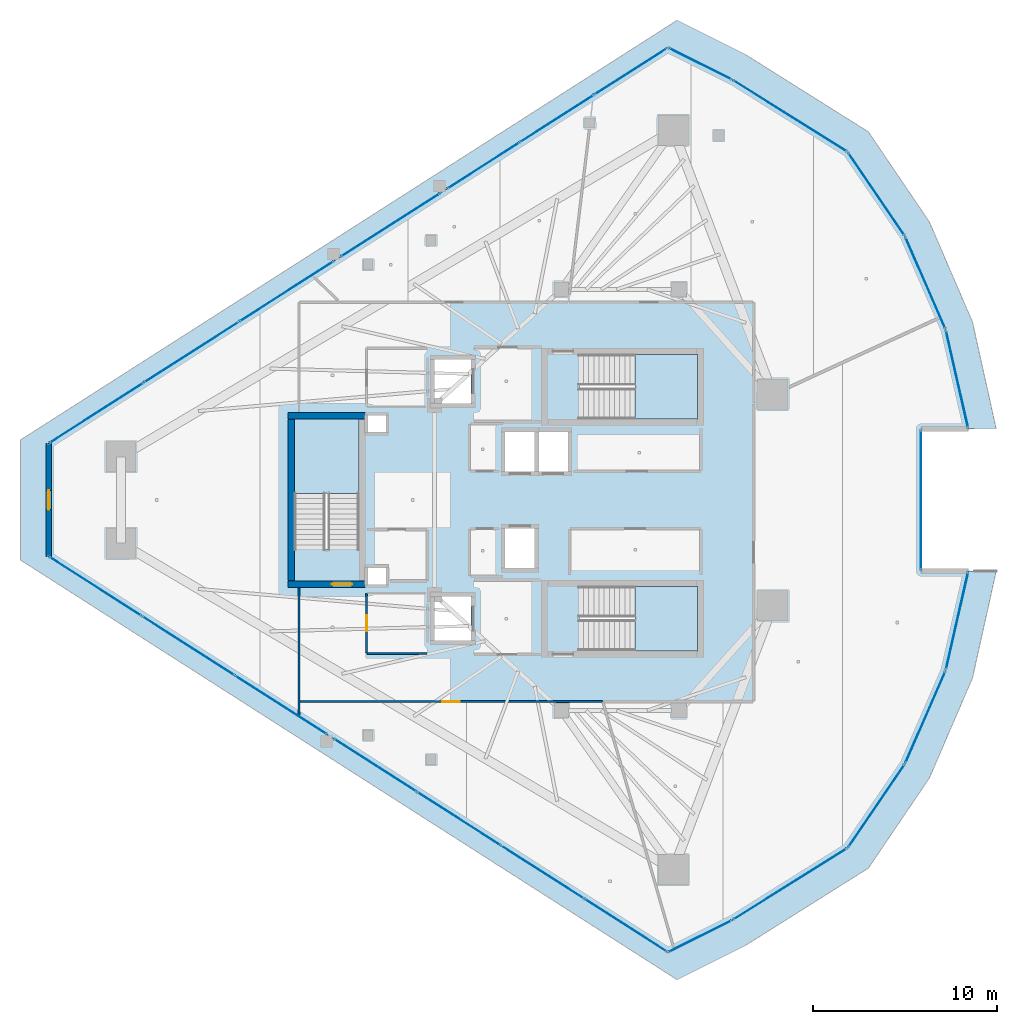
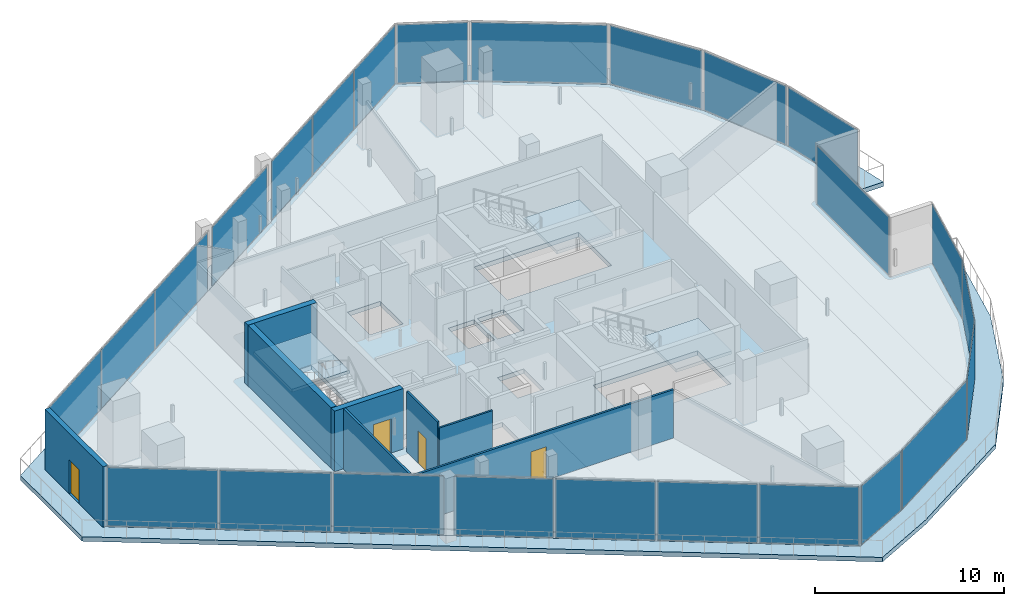
# One storey, part 21 of 31: 25 plates, 8 walls, 5 slabs, 4 doors, 4 openings, 19 elements without a shape of their own.
"""IFC4 building model written with IfcOpenShell, lengths in metres."""

import ifcopenshell
import ifcopenshell.guid

model = None  # the IFC model being written
_history = None  # IfcOwnerHistory: only IFC2X3 demands one
_inside = {}  # id of a spatial element -> (the spatial element, [elements in it])
_under = {}  # id of a project, library or spatial element -> (it, [spatial elements below it])
_declared = {}  # id of a project -> (the project, [libraries it declares])
_typed = {}  # id of a type object -> (the type object, [elements of that type])
_made_of = {}  # id of a material, layer set ... -> (it, [elements and type objects made of it])


def new_model(schema):
    """Start an empty IFC model of exactly this schema.

    Asked for "IFC4X3", IfcOpenShell would pick the latest addendum, in which some entities
    have other attributes; the version numbers below select the first issue.
    IFC2X3 requires an IfcOwnerHistory on every rooted entity: one is made here for all.
    """
    global model, _history
    if schema == "IFC4X3":
        model = ifcopenshell.file(schema_version=(4, 3, 0, 0))
    else:
        model = ifcopenshell.file(schema=schema)
    _inside.clear()
    _under.clear()
    _declared.clear()
    _typed.clear()
    _made_of.clear()
    _history = None
    if model.schema == "IFC2X3":
        org = make("IfcOrganization", Name="unknown")
        user = make(
            "IfcPersonAndOrganization",
            ThePerson=make("IfcPerson", FamilyName="unknown"),
            TheOrganization=org,
        )
        app = make(
            "IfcApplication",
            ApplicationDeveloper=org,
            Version="unknown",
            ApplicationFullName="unknown",
            ApplicationIdentifier="unknown",
        )
        _history = make(
            "IfcOwnerHistory",
            OwningUser=user,
            OwningApplication=app,
            ChangeAction="ADDED",
            CreationDate=0,
        )
    return model


def make(cls, **values):
    """One entity of the class cls with the attributes given. An attribute that is None is left unset."""
    return model.create_entity(
        cls, **{name: value for name, value in values.items() if value is not None}
    )


def rooted(cls, **values):
    """An entity with a GlobalId (a new one), such as an element, a storey or a relation."""
    return make(cls, GlobalId=ifcopenshell.guid.new(), OwnerHistory=_history, **values)


def si_unit(unit_type, name, prefix=None):
    """IfcSIUnit, for example si_unit("LENGTHUNIT", "METRE", prefix="MILLI")."""
    return make("IfcSIUnit", UnitType=unit_type, Prefix=prefix, Name=name)


def assignment(units):
    """IfcUnitAssignment: the units of a project."""
    return None if units is None else make("IfcUnitAssignment", Units=units)


def point(xyz):
    """IfcCartesianPoint."""
    return None if xyz is None else make("IfcCartesianPoint", Coordinates=xyz)


def direction(xyz):
    """IfcDirection."""
    return None if xyz is None else make("IfcDirection", DirectionRatios=xyz)


def frame(location, z_axis=None, x_axis=None):
    """IfcAxis2Placement3D, a coordinate frame: its origin and axes. An axis left out is left unset."""
    return make(
        "IfcAxis2Placement3D",
        Location=point(location),
        Axis=direction(z_axis),
        RefDirection=direction(x_axis),
    )


def frame_2d(location, x_axis=None):
    """IfcAxis2Placement2D, a coordinate frame in the plane: its origin and x axis."""
    return make(
        "IfcAxis2Placement2D", Location=point(location), RefDirection=direction(x_axis)
    )


def origin():
    """The frame at (0, 0, 0) with its axes left unset."""
    return frame((0.0, 0.0, 0.0))


def origin_2d():
    """The frame at (0, 0) in the plane with its x axis left unset."""
    return frame_2d((0.0, 0.0))


def place(relative_to, where):
    """IfcLocalPlacement: puts the frame where relative to a parent placement (None: the world)."""
    return make(
        "IfcLocalPlacement", PlacementRelTo=relative_to, RelativePlacement=where
    )


def context(
    kind, dimensions, precision=None, world=None, true_north=None, identifier=None
):
    """IfcGeometricRepresentationContext, for example the 3D "Model" context."""
    return make(
        "IfcGeometricRepresentationContext",
        ContextIdentifier=identifier,
        ContextType=kind,
        CoordinateSpaceDimension=dimensions,
        Precision=precision,
        WorldCoordinateSystem=world,
        TrueNorth=true_north,
    )


def subcontext(parent, identifier, kind, view, scale=None):
    """IfcGeometricRepresentationSubContext, for example "Body" below "Model"."""
    return make(
        "IfcGeometricRepresentationSubContext",
        ContextIdentifier=identifier,
        ContextType=kind,
        ParentContext=parent,
        TargetScale=scale,
        TargetView=view,
    )


def project(units=None, contexts=None):
    """IfcProject with its units and contexts."""
    return rooted(
        "IfcProject",
        Name="project",
        RepresentationContexts=contexts,
        UnitsInContext=assignment(units),
    )


def spatial(cls, under=None, at=None, **own):
    """A site, building, storey or space (cls), placed at a placement, below another one or the project."""
    s = rooted(cls, ObjectPlacement=at, **own)
    if under is not None:
        _under.setdefault(under.id(), (under, []))[1].append(s)
    return s


def polyline(points):
    """IfcPolyline through the points."""
    return make("IfcPolyline", Points=[point(p) for p in points])


def profile(cls, at=None, kind="AREA", **sizes):
    """A parametric profile (cls). Its sizes go by their IFC names, for example OverallWidth=200.0."""
    return make(cls, ProfileType=kind, Position=at, **sizes)


def rectangle(**sizes):
    """IfcRectangleProfileDef."""
    return profile("IfcRectangleProfileDef", **sizes)


def outline(outer, holes=None, kind="AREA"):
    """IfcArbitraryClosedProfileDef: a profile drawn as a closed curve; with holes, ...WithVoids."""
    if holes is None:
        return make("IfcArbitraryClosedProfileDef", ProfileType=kind, OuterCurve=outer)
    return make(
        "IfcArbitraryProfileDefWithVoids",
        ProfileType=kind,
        OuterCurve=outer,
        InnerCurves=holes,
    )


def extrude(swept, where, along, depth):
    """IfcExtrudedAreaSolid: the profile swept, set in the frame where, extruded along a direction by depth."""
    return make(
        "IfcExtrudedAreaSolid",
        SweptArea=swept,
        Position=where,
        ExtrudedDirection=direction(along),
        Depth=depth,
    )


def shape(context_of_items, identifier, shape_type, items):
    """IfcShapeRepresentation: the items that make up one representation, for example the "Body"."""
    return make(
        "IfcShapeRepresentation",
        ContextOfItems=context_of_items,
        RepresentationIdentifier=identifier,
        RepresentationType=shape_type,
        Items=items,
    )


def material(Name=None, Category=None):
    """IfcMaterial."""
    return make("IfcMaterial", Name=Name, Category=Category)


def layer(
    of_material, thickness, ventilated=None, Name=None, Category=None, Priority=None
):
    """IfcMaterialLayer: one layer of a wall or slab, of a material (None: an air gap)."""
    return make(
        "IfcMaterialLayer",
        Material=of_material,
        LayerThickness=thickness,
        IsVentilated=ventilated,
        Name=Name,
        Category=Category,
        Priority=Priority,
    )


def layer_set(layers, Name=None):
    """IfcMaterialLayerSet."""
    return make("IfcMaterialLayerSet", MaterialLayers=layers, LayerSetName=Name)


def made_of(thing, what):
    """Note that an element or type object is made of a material, layer set ...; save() writes the relation."""
    if what is not None:
        _made_of.setdefault(what.id(), (what, []))[1].append(thing)
    return thing


def type_object(cls, material=None, **own):
    """A type object (cls), such as IfcWallType, which elements share."""
    return made_of(rooted(cls, **own), material)


def element(
    cls,
    number,
    at=None,
    inside=None,
    cuts=None,
    type_object=None,
    material=None,
    context=None,
    identifier="Body",
    shape_type=None,
    held_by="IfcProductDefinitionShape",
    body=None,
    shapes=None,
    **own,
):
    """One element of the class cls, such as IfcWall. Its Tag is "e" and its number.

    at: its placement. inside: the storey or other place that contains it. cuts: it is an
    opening in that element (IfcRelVoidsElement). A single representation is given by context,
    identifier, shape_type and body (its items); several are given by shapes. held_by: the class
    of the entity that holds the representations. save() writes the other relations.
    """
    e = rooted(cls, Tag="e%d" % number, ObjectPlacement=at, **own)
    if body is not None:
        shapes = [shape(context, identifier, shape_type, body)]
    if shapes is not None:
        e.Representation = make(held_by, Representations=shapes)
    if inside is not None:
        _inside.setdefault(inside.id(), (inside, []))[1].append(e)
    if cuts is not None:
        rooted(
            "IfcRelVoidsElement", RelatingBuildingElement=cuts, RelatedOpeningElement=e
        )
    if type_object is not None:
        _typed.setdefault(type_object.id(), (type_object, []))[1].append(e)
    return made_of(e, material)


def fill(opening, filler):
    """IfcRelFillsElement: the door or window that sits in an opening."""
    return rooted(
        "IfcRelFillsElement",
        RelatingOpeningElement=opening,
        RelatedBuildingElement=filler,
    )


def aggregate(whole, parts):
    """IfcRelAggregates: a whole, such as a stair, and the parts it consists of."""
    return rooted("IfcRelAggregates", RelatingObject=whole, RelatedObjects=parts)


def save(model, path):
    """Write the relations noted so far, then the file.

    IfcRelAggregates (storeys below a building ...), IfcRelContainedInSpatialStructure (elements
    in a storey), IfcRelDefinesByType, IfcRelAssociatesMaterial and IfcRelDeclares: one each for
    every whole, place, type object, material and project.
    """
    for whole, parts in _under.values():
        aggregate(whole, parts)
    for where, things in _inside.values():
        rooted(
            "IfcRelContainedInSpatialStructure",
            RelatedElements=things,
            RelatingStructure=where,
        )
    for kind, things in _typed.values():
        rooted("IfcRelDefinesByType", RelatedObjects=things, RelatingType=kind)
    for what, things in _made_of.values():
        rooted("IfcRelAssociatesMaterial", RelatedObjects=things, RelatingMaterial=what)
    for by, libraries in _declared.values():
        rooted("IfcRelDeclares", RelatingContext=by, RelatedDefinitions=libraries)
    model.write(path)


model = new_model("IFC4")

# Units and contexts
model_context = context("Model", 3, precision=1e-05, world=origin(), true_north=direction((0.0, 1.0)))
body_context = subcontext(model_context, "Body", "Model", "MODEL_VIEW")
ifc_project = project(units=[si_unit("LENGTHUNIT", "METRE"), si_unit("AREAUNIT", "SQUARE_METRE"), si_unit("VOLUMEUNIT", "CUBIC_METRE"), si_unit("PLANEANGLEUNIT", "RADIAN"), si_unit("MASSUNIT", "GRAM", prefix="KILO")], contexts=[model_context])

# Site, building, storey
site_placement = place(None, origin())
site = spatial("IfcSite", under=ifc_project, at=site_placement, CompositionType="ELEMENT")
building_placement = place(site_placement, origin())
building = spatial("IfcBuilding", under=site, at=building_placement, Name="Qorvath Tower", CompositionType="ELEMENT")
storey_placement = place(building_placement, frame((0.0, 0.0, 264.0)))
storey = spatial("IfcBuildingStorey", under=building, at=storey_placement, Name="L61", CompositionType="ELEMENT", Elevation=264.0)

# Curtain wall, plates
ifc_material_1 = material(Name="Anodised aluminium and triple low-E glass", Category="aluminium")
ifc_layer_1 = layer(ifc_material_1, 0.179931640625)
ifc_layer_set_1 = layer_set([ifc_layer_1], Name="CW-SYS-4")
curtain_wall_type = type_object("IfcCurtainWallType", Name="CW-SYS-4", PredefinedType="NOTDEFINED", material=ifc_layer_set_1)
curtain_wall_1_placement = place(storey_placement, origin())
curtain_wall_1 = element("IfcCurtainWall", 1, at=curtain_wall_1_placement, inside=storey, type_object=curtain_wall_type, Name="Curtain Wall CW-4 CW-T-L61-2.1", PredefinedType="NOTDEFINED")
ifc_material_2 = material(Name="Acoustic laminated low-E glass", Category="glass")
ifc_layer_2 = layer(ifc_material_2, 0.0380859375)
ifc_layer_set_2 = layer_set([ifc_layer_2], Name="CWP-GLZ-38")
plate_type = type_object("IfcPlateType", Name="CWP-GLZ-38", PredefinedType="CURTAIN_PANEL", material=ifc_layer_set_2)
plate_1_placement = place(storey_placement, frame((-48.92822265625, -4.699462890625, 0.06494140625), z_axis=(0.0, 0.0, 1.0), x_axis=(0.84260709756, -0.538528809945, 0.0)))
plate_1 = element("IfcPlate", 2, at=plate_1_placement, type_object=plate_type, Name="CW-4 panel 1.1", PredefinedType="CURTAIN_PANEL", context=body_context, shape_type="SweptSolid", body=[
    extrude(rectangle(XDim=5.885986328125, YDim=0.0380859375, at=origin_2d()), origin(), (0.0, 0.0, 1.0), 3.77978515625),
])
plate_2_placement = place(storey_placement, frame((-43.8896484375, -7.919921875, 0.06494140625), z_axis=(0.0, 0.0, 1.0), x_axis=(0.84260709756, -0.538528809945, 0.0)))
plate_2 = element("IfcPlate", 3, at=plate_2_placement, type_object=plate_type, Name="CW-4 panel 2.1", PredefinedType="CURTAIN_PANEL", context=body_context, shape_type="SweptSolid", body=[
    extrude(rectangle(XDim=5.923583984375, YDim=0.0380859375, at=origin_2d()), origin(), (0.0, 0.0, 1.0), 3.77978515625),
])
plate_3_placement = place(storey_placement, frame((-38.850830078125, -11.14013671875, 0.06494140625), z_axis=(0.0, 0.0, 1.0), x_axis=(0.84260709756, -0.538528809945, 0.0)))
plate_3 = element("IfcPlate", 4, at=plate_3_placement, type_object=plate_type, Name="CW-4 panel 3.1", PredefinedType="CURTAIN_PANEL", context=body_context, shape_type="SweptSolid", body=[
    extrude(rectangle(XDim=5.885986328125, YDim=0.0380859375, at=origin_2d()), origin(), (0.0, 0.0, 1.0), 3.77978515625),
])
aggregate(curtain_wall_1, [plate_1, plate_2, plate_3])

curtain_wall_2_placement = place(storey_placement, origin())
curtain_wall_2 = element("IfcCurtainWall", 5, at=curtain_wall_2_placement, inside=storey, type_object=curtain_wall_type, Name="Curtain Wall CW-4 CW-T-L61-2.2", PredefinedType="NOTDEFINED")
plate_4_placement = place(storey_placement, frame((-33.704833984375, -14.42919921875, 0.06494140625), z_axis=(0.0, 0.0, 1.0), x_axis=(0.842602326393, -0.538536275061, 0.0)))
plate_4 = element("IfcPlate", 6, at=plate_4_placement, type_object=plate_type, Name="CW-4 panel 1.1", PredefinedType="CURTAIN_PANEL", context=body_context, shape_type="SweptSolid", body=[
    extrude(rectangle(XDim=5.28515625, YDim=0.0380859375, at=origin_2d()), origin(), (0.0, 0.0, 1.0), 3.77978515625),
])
plate_5_placement = place(storey_placement, frame((-29.172607421875, -17.32568359375, 0.06494140625), z_axis=(0.0, 0.0, 1.0), x_axis=(0.842602326393, -0.538536275061, 0.0)))
plate_5 = element("IfcPlate", 7, at=plate_5_placement, type_object=plate_type, Name="CW-4 panel 2.1", PredefinedType="CURTAIN_PANEL", context=body_context, shape_type="SweptSolid", body=[
    extrude(rectangle(XDim=5.322509765625, YDim=0.0380859375, at=origin_2d()), origin(), (0.0, 0.0, 1.0), 3.77978515625),
])
plate_6_placement = place(storey_placement, frame((-24.62451171875, -20.232666015625, 0.06494140625), z_axis=(0.0, 0.0, 1.0), x_axis=(0.842602326393, -0.538536275061, 0.0)))
plate_6 = element("IfcPlate", 8, at=plate_6_placement, type_object=plate_type, Name="CW-4 panel 3.1", PredefinedType="CURTAIN_PANEL", context=body_context, shape_type="SweptSolid", body=[
    extrude(rectangle(XDim=5.322509765625, YDim=0.0380859375, at=origin_2d()), origin(), (0.0, 0.0, 1.0), 3.77978515625),
])
plate_7_placement = place(storey_placement, frame((-20.09228515625, -23.12939453125, 0.06494140625), z_axis=(0.0, 0.0, 1.0), x_axis=(0.842602326393, -0.538536275061, 0.0)))
plate_7 = element("IfcPlate", 9, at=plate_7_placement, type_object=plate_type, Name="CW-4 panel 4.1", PredefinedType="CURTAIN_PANEL", context=body_context, shape_type="SweptSolid", body=[
    extrude(rectangle(XDim=5.28515625, YDim=0.0380859375, at=origin_2d()), origin(), (0.0, 0.0, 1.0), 3.77978515625),
])
aggregate(curtain_wall_2, [plate_4, plate_5, plate_6, plate_7])

# Curtain wall, plate
curtain_wall_3_placement = place(storey_placement, origin())
curtain_wall_3 = element("IfcCurtainWall", 10, at=curtain_wall_3_placement, inside=storey, type_object=curtain_wall_type, Name="Curtain Wall CW-4 CW-T-L61-3.1", PredefinedType="NOTDEFINED")
plate_8_placement = place(storey_placement, frame((-16.0458984375, -23.714599609375, 0.06494140625), z_axis=(0.0, 0.0, 1.0), x_axis=(0.894437373924, 0.447193229071, 0.0)))
plate_8 = element("IfcPlate", 11, at=plate_8_placement, type_object=plate_type, Name="CW-4 panel 1.1", PredefinedType="CURTAIN_PANEL", context=body_context, shape_type="SweptSolid", body=[
    extrude(rectangle(XDim=3.778076171875, YDim=0.0380859375, at=origin_2d()), origin(), (0.0, 0.0, 1.0), 3.77978515625),
])
aggregate(curtain_wall_3, [plate_8])

curtain_wall_4_placement = place(storey_placement, origin())
curtain_wall_4 = element("IfcCurtainWall", 12, at=curtain_wall_4_placement, inside=storey, type_object=curtain_wall_type, Name="Curtain Wall CW-4 CW-T-L61-4.1", PredefinedType="NOTDEFINED")
plate_9_placement = place(storey_placement, frame((-11.159423828125, -20.8779296875, 0.06494140625), z_axis=(0.0, 0.0, 1.0), x_axis=(0.847740264741, 0.530411579376, 0.0)))
plate_9 = element("IfcPlate", 13, at=plate_9_placement, type_object=plate_type, Name="CW-4 panel 1.1", PredefinedType="CURTAIN_PANEL", context=body_context, shape_type="SweptSolid", body=[
    extrude(rectangle(XDim=7.2333984375, YDim=0.0380859375, at=origin_2d()), origin(), (0.0, 0.0, 1.0), 3.77978515625),
])
aggregate(curtain_wall_4, [plate_9])

curtain_wall_5_placement = place(storey_placement, origin())
curtain_wall_5 = element("IfcCurtainWall", 14, at=curtain_wall_5_placement, inside=storey, type_object=curtain_wall_type, Name="Curtain Wall CW-4 CW-T-L61-5.1", PredefinedType="NOTDEFINED")
plate_10_placement = place(storey_placement, frame((-6.470947265625, -16.63232421875, 0.06494140625), z_axis=(0.0, 0.0, 1.0), x_axis=(0.563145136589, 0.826358006639, 0.0)))
plate_10 = element("IfcPlate", 15, at=plate_10_placement, type_object=plate_type, Name="CW-4 panel 1.1", PredefinedType="CURTAIN_PANEL", context=body_context, shape_type="SweptSolid", body=[
    extrude(rectangle(XDim=5.386474609375, YDim=0.0380859375, at=origin_2d()), origin(), (0.0, 0.0, 1.0), 3.77978515625),
])
aggregate(curtain_wall_5, [plate_10])

curtain_wall_6_placement = place(storey_placement, origin())
curtain_wall_6 = element("IfcCurtainWall", 16, at=curtain_wall_6_placement, inside=storey, type_object=curtain_wall_type, Name="Curtain Wall CW-4 CW-T-L61-6.1", PredefinedType="NOTDEFINED")
plate_11_placement = place(storey_placement, frame((-3.80517578125, -11.80712890625, 0.06494140625), z_axis=(0.0, 0.0, 1.0), x_axis=(0.399777274729, 0.916612312055, 0.0)))
plate_11 = element("IfcPlate", 17, at=plate_11_placement, type_object=plate_type, Name="CW-4 panel 1.1", PredefinedType="CURTAIN_PANEL", context=body_context, shape_type="SweptSolid", body=[
    extrude(rectangle(XDim=5.386474609375, YDim=0.0380859375, at=origin_2d()), origin(), (0.0, 0.0, 1.0), 3.77978515625),
])
aggregate(curtain_wall_6, [plate_11])

curtain_wall_7_placement = place(storey_placement, origin())
curtain_wall_7 = element("IfcCurtainWall", 18, at=curtain_wall_7_placement, inside=storey, type_object=curtain_wall_type, Name="Curtain Wall CW-4 CW-T-L61-7.1", PredefinedType="NOTDEFINED")
plate_12_placement = place(storey_placement, frame((-2.082763671875, -6.57080078125, 0.06494140625), z_axis=(0.0, 0.0, 1.0), x_axis=(0.22245942898, 0.97494194825, 0.0)))
plate_12 = element("IfcPlate", 19, at=plate_12_placement, type_object=plate_type, Name="CW-4 panel 1.1", PredefinedType="CURTAIN_PANEL", context=body_context, shape_type="SweptSolid", body=[
    extrude(rectangle(XDim=5.38671875, YDim=0.0380859375, at=origin_2d()), origin(), (0.0, 0.0, 1.0), 3.77978515625),
])
aggregate(curtain_wall_7, [plate_12])

curtain_wall_8_placement = place(storey_placement, origin())
curtain_wall_8 = element("IfcCurtainWall", 20, at=curtain_wall_8_placement, inside=storey, type_object=curtain_wall_type, Name="Curtain Wall CW-4 CW-T-L61-9.1", PredefinedType="NOTDEFINED")
plate_13_placement = place(storey_placement, frame((-4.0478515625, 0.0, 0.06494140625), z_axis=(0.0, 0.0, 1.0), x_axis=(0.0, 1.0, 0.0)))
plate_13 = element("IfcPlate", 21, at=plate_13_placement, type_object=plate_type, Name="CW-4 panel 1.1", PredefinedType="CURTAIN_PANEL", context=body_context, shape_type="SweptSolid", body=[
    extrude(rectangle(XDim=7.593505859375, YDim=0.0380859375, at=origin_2d()), origin(), (0.0, 0.0, 1.0), 3.77978515625),
])
aggregate(curtain_wall_8, [plate_13])

curtain_wall_9_placement = place(storey_placement, origin())
curtain_wall_9 = element("IfcCurtainWall", 22, at=curtain_wall_9_placement, inside=storey, type_object=curtain_wall_type, Name="Curtain Wall CW-4 CW-T-L61-11.1", PredefinedType="NOTDEFINED")
plate_14_placement = place(storey_placement, frame((-2.082763671875, 6.57080078125, 0.06494140625), z_axis=(0.0, 0.0, 1.0), x_axis=(-0.22245942898, 0.97494194825, 0.0)))
plate_14 = element("IfcPlate", 23, at=plate_14_placement, type_object=plate_type, Name="CW-4 panel 1.1", PredefinedType="CURTAIN_PANEL", context=body_context, shape_type="SweptSolid", body=[
    extrude(rectangle(XDim=5.38671875, YDim=0.0380859375, at=origin_2d()), origin(), (0.0, 0.0, 1.0), 3.77978515625),
])
aggregate(curtain_wall_9, [plate_14])

curtain_wall_10_placement = place(storey_placement, origin())
curtain_wall_10 = element("IfcCurtainWall", 24, at=curtain_wall_10_placement, inside=storey, type_object=curtain_wall_type, Name="Curtain Wall CW-4 CW-T-L61-12.1", PredefinedType="NOTDEFINED")
plate_15_placement = place(storey_placement, frame((-3.80517578125, 11.80712890625, 0.06494140625), z_axis=(0.0, 0.0, 1.0), x_axis=(-0.399777274729, 0.916612312055, 0.0)))
plate_15 = element("IfcPlate", 25, at=plate_15_placement, type_object=plate_type, Name="CW-4 panel 1.1", PredefinedType="CURTAIN_PANEL", context=body_context, shape_type="SweptSolid", body=[
    extrude(rectangle(XDim=5.386474609375, YDim=0.0380859375, at=origin_2d()), origin(), (0.0, 0.0, 1.0), 3.77978515625),
])
aggregate(curtain_wall_10, [plate_15])

curtain_wall_11_placement = place(storey_placement, origin())
curtain_wall_11 = element("IfcCurtainWall", 26, at=curtain_wall_11_placement, inside=storey, type_object=curtain_wall_type, Name="Curtain Wall CW-4 CW-T-L61-13.1", PredefinedType="NOTDEFINED")
plate_16_placement = place(storey_placement, frame((-6.470947265625, 16.63232421875, 0.06494140625), z_axis=(0.0, 0.0, 1.0), x_axis=(-0.563145136589, 0.826358006639, 0.0)))
plate_16 = element("IfcPlate", 27, at=plate_16_placement, type_object=plate_type, Name="CW-4 panel 1.1", PredefinedType="CURTAIN_PANEL", context=body_context, shape_type="SweptSolid", body=[
    extrude(rectangle(XDim=5.386474609375, YDim=0.0380859375, at=origin_2d()), origin(), (0.0, 0.0, 1.0), 3.77978515625),
])
aggregate(curtain_wall_11, [plate_16])

curtain_wall_12_placement = place(storey_placement, origin())
curtain_wall_12 = element("IfcCurtainWall", 28, at=curtain_wall_12_placement, inside=storey, type_object=curtain_wall_type, Name="Curtain Wall CW-4 CW-T-L61-14.1", PredefinedType="NOTDEFINED")
plate_17_placement = place(storey_placement, frame((-11.159423828125, 20.8779296875, 0.06494140625), z_axis=(0.0, 0.0, 1.0), x_axis=(-0.847740264741, 0.530411579376, 0.0)))
plate_17 = element("IfcPlate", 29, at=plate_17_placement, type_object=plate_type, Name="CW-4 panel 1.1", PredefinedType="CURTAIN_PANEL", context=body_context, shape_type="SweptSolid", body=[
    extrude(rectangle(XDim=7.2333984375, YDim=0.0380859375, at=origin_2d()), origin(), (0.0, 0.0, 1.0), 3.77978515625),
])
aggregate(curtain_wall_12, [plate_17])

curtain_wall_13_placement = place(storey_placement, origin())
curtain_wall_13 = element("IfcCurtainWall", 30, at=curtain_wall_13_placement, inside=storey, type_object=curtain_wall_type, Name="Curtain Wall CW-4 CW-T-L61-15.1", PredefinedType="NOTDEFINED")
plate_18_placement = place(storey_placement, frame((-16.0458984375, 23.714599609375, 0.06494140625), z_axis=(0.0, 0.0, 1.0), x_axis=(-0.894437373924, 0.447193229071, 0.0)))
plate_18 = element("IfcPlate", 31, at=plate_18_placement, type_object=plate_type, Name="CW-4 panel 1.1", PredefinedType="CURTAIN_PANEL", context=body_context, shape_type="SweptSolid", body=[
    extrude(rectangle(XDim=3.778076171875, YDim=0.0380859375, at=origin_2d()), origin(), (0.0, 0.0, 1.0), 3.77978515625),
])
aggregate(curtain_wall_13, [plate_18])

# Curtain wall, plates
curtain_wall_14_placement = place(storey_placement, origin())
curtain_wall_14 = element("IfcCurtainWall", 32, at=curtain_wall_14_placement, inside=storey, type_object=curtain_wall_type, Name="Curtain Wall CW-4 CW-T-L61-16.1", PredefinedType="NOTDEFINED")
plate_19_placement = place(storey_placement, frame((-19.8271484375, 23.298828125, 0.06494140625), z_axis=(0.0, 0.0, 1.0), x_axis=(-0.842610872651, -0.538522903218, 0.0)))
plate_19 = element("IfcPlate", 33, at=plate_19_placement, type_object=plate_type, Name="CW-4 panel 1.1", PredefinedType="CURTAIN_PANEL", context=body_context, shape_type="SweptSolid", body=[
    extrude(rectangle(XDim=4.655517578125, YDim=0.0380859375, at=origin_2d()), origin(), (0.0, 0.0, 1.0), 3.77978515625),
])
plate_20_placement = place(storey_placement, frame((-23.828857421875, 20.741455078125, 0.06494140625), z_axis=(0.0, 0.0, 1.0), x_axis=(-0.842610872651, -0.538522903218, 0.0)))
plate_20 = element("IfcPlate", 34, at=plate_20_placement, type_object=plate_type, Name="CW-4 panel 2.1", PredefinedType="CURTAIN_PANEL", context=body_context, shape_type="SweptSolid", body=[
    extrude(rectangle(XDim=4.69287109375, YDim=0.0380859375, at=origin_2d()), origin(), (0.0, 0.0, 1.0), 3.77978515625),
])
plate_21_placement = place(storey_placement, frame((-27.83056640625, 18.183837890625, 0.06494140625), z_axis=(0.0, 0.0, 1.0), x_axis=(-0.842610872651, -0.538522903218, 0.0)))
plate_21 = element("IfcPlate", 35, at=plate_21_placement, type_object=plate_type, Name="CW-4 panel 3.1", PredefinedType="CURTAIN_PANEL", context=body_context, shape_type="SweptSolid", body=[
    extrude(rectangle(XDim=4.655517578125, YDim=0.0380859375, at=origin_2d()), origin(), (0.0, 0.0, 1.0), 3.77978515625),
])
aggregate(curtain_wall_14, [plate_19, plate_20, plate_21])

# Curtain wall, plate
curtain_wall_15_placement = place(storey_placement, origin())
curtain_wall_15 = element("IfcCurtainWall", 36, at=curtain_wall_15_placement, inside=storey, type_object=curtain_wall_type, Name="Curtain Wall CW-4 CW-T-L61-16.2", PredefinedType="NOTDEFINED")
plate_22_placement = place(storey_placement, frame((-32.889404296875, 14.950439453125, 0.06494140625), z_axis=(0.0, 0.0, 1.0), x_axis=(-0.842597126239, -0.538544411218, 0.0)))
plate_22 = element("IfcPlate", 37, at=plate_22_placement, type_object=plate_type, Name="CW-4 panel 1.1", PredefinedType="CURTAIN_PANEL", context=body_context, shape_type="SweptSolid", body=[
    extrude(rectangle(XDim=6.30908203125, YDim=0.0380859375, at=origin_2d()), origin(), (0.0, 0.0, 1.0), 3.77978515625),
])
aggregate(curtain_wall_15, [plate_22])

# Curtain wall, plates
curtain_wall_16_placement = place(storey_placement, origin())
curtain_wall_16 = element("IfcCurtainWall", 38, at=curtain_wall_16_placement, inside=storey, type_object=curtain_wall_type, Name="Curtain Wall CW-4 CW-T-L61-16.3", PredefinedType="NOTDEFINED")
plate_23_placement = place(storey_placement, frame((-38.53076171875, 11.3447265625, 0.06494140625), z_axis=(0.0, 0.0, 1.0), x_axis=(-0.842604313573, -0.538533165876, 0.0)))
plate_23 = element("IfcPlate", 39, at=plate_23_placement, type_object=plate_type, Name="CW-4 panel 1.1", PredefinedType="CURTAIN_PANEL", context=body_context, shape_type="SweptSolid", body=[
    extrude(rectangle(XDim=6.0380859375, YDim=0.0380859375, at=origin_2d()), origin(), (0.0, 0.0, 1.0), 3.77978515625),
])
plate_24_placement = place(storey_placement, frame((-43.697509765625, 8.04248046875, 0.06494140625), z_axis=(0.0, 0.0, 1.0), x_axis=(-0.842604313573, -0.538533165876, 0.0)))
plate_24 = element("IfcPlate", 40, at=plate_24_placement, type_object=plate_type, Name="CW-4 panel 2.1", PredefinedType="CURTAIN_PANEL", context=body_context, shape_type="SweptSolid", body=[
    extrude(rectangle(XDim=6.075439453125, YDim=0.0380859375, at=origin_2d()), origin(), (0.0, 0.0, 1.0), 3.77978515625),
])
plate_25_placement = place(storey_placement, frame((-48.8642578125, 4.740478515625, 0.06494140625), z_axis=(0.0, 0.0, 1.0), x_axis=(-0.842604313573, -0.538533165876, 0.0)))
plate_25 = element("IfcPlate", 41, at=plate_25_placement, type_object=plate_type, Name="CW-4 panel 3.1", PredefinedType="CURTAIN_PANEL", context=body_context, shape_type="SweptSolid", body=[
    extrude(rectangle(XDim=6.0380859375, YDim=0.0380859375, at=origin_2d()), origin(), (0.0, 0.0, 1.0), 3.77978515625),
])
aggregate(curtain_wall_16, [plate_23, plate_24, plate_25])

# Slab
ifc_material_3 = material(Name="Concrete C50/60", Category="concrete")
ifc_layer_3 = layer(ifc_material_3, 0.2900390625)
ifc_layer_set_3 = layer_set([ifc_layer_3], Name="SL-EXEC-290")
slab_type_1 = type_object("IfcSlabType", Name="SL-EXEC-290", PredefinedType="FLOOR", material=ifc_layer_set_3)
slab_1_placement = place(storey_placement, frame((0.0, 0.0, -0.2900390625)))
element("IfcSlab", 42, at=slab_1_placement, inside=storey, type_object=slab_type_1, Name="Tower L61 Interior Floor Slab", PredefinedType="FLOOR", context=body_context, shape_type="SweptSolid", body=[
    extrude(outline(polyline([(-51.47119140625, 3.07421875), (-51.47119140625, -3.07421875), (-17.802490234375, -24.5927734375), (-14.2890625, -22.836181640625), (-8.02978515625, -18.919921875), (-4.911865234375, -14.3447265625), (-2.698486328125, -9.269775390625), (-1.466796875, -3.871826171875), (-4.0478515625, -3.871826171875), (-4.0478515625, 3.871826171875), (-1.466796875, 3.871826171875), (-2.698486328125, 9.269775390625), (-4.911865234375, 14.3447265625), (-8.02978515625, 18.919921875), (-14.2890625, 22.836181640625), (-17.802490234375, 24.5927734375), (-51.47119140625, 3.07421875)]), holes=[polyline([(-16.2451171875, -8.199951171875), (-22.625, -8.199951171875), (-22.625, -4.68994140625), (-16.2451171875, -4.68994140625), (-16.2451171875, -8.199951171875)]), polyline([(-22.625, 4.39990234375), (-22.625, 7.909912109375), (-16.2451171875, 7.909912109375), (-16.2451171875, 4.39990234375), (-22.625, 4.39990234375)]), polyline([(-23.25, 1.550048828125), (-24.85009765625, 1.550048828125), (-24.85009765625, 3.699951171875), (-23.25, 3.699951171875), (-23.25, 1.550048828125)]), polyline([(-26.64990234375, -3.699951171875), (-26.64990234375, -1.550048828125), (-25.050048828125, -1.550048828125), (-25.050048828125, -3.699951171875), (-26.64990234375, -3.699951171875)]), polyline([(-25.050048828125, 1.550048828125), (-26.64990234375, 1.550048828125), (-26.64990234375, 3.699951171875), (-25.050048828125, 3.699951171875), (-25.050048828125, 1.550048828125)]), polyline([(-28.5, -7.64990234375), (-30.5, -7.64990234375), (-30.5, -5.25), (-28.5, -5.25), (-28.5, -7.64990234375)]), polyline([(-30.5, 5.25), (-30.5, 7.64990234375), (-28.5, 7.64990234375), (-28.5, 5.25), (-30.5, 5.25)]), polyline([(-33.10009765625, -4.6201171875), (-34.14990234375, -4.6201171875), (-34.14990234375, -3.64990234375), (-33.10009765625, -3.64990234375), (-33.10009765625, -4.6201171875)]), polyline([(-33.10009765625, 3.64990234375), (-34.14990234375, 3.64990234375), (-34.14990234375, 4.6201171875), (-33.10009765625, 4.6201171875), (-33.10009765625, 3.64990234375)]), polyline([(-34.60009765625, -2.675048828125), (-38.110107421875, -2.675048828125), (-38.110107421875, 4.35498046875), (-34.60009765625, 4.35498046875), (-34.60009765625, -2.675048828125)])]), origin(), (0.0, 0.0, 1.0), 0.2900390625),
])

# Stair, slab
ifc_material_4 = material(Name="Concrete C50/60", Category="concrete")
stair_type = type_object("IfcStairType", Name="ST-H420", PredefinedType="HALF_TURN_STAIR", material=ifc_material_4)
stair_1_placement = place(storey_placement, origin())
stair_1 = element("IfcStair", 43, at=stair_1_placement, inside=storey, type_object=stair_type, Name="L61 Tower Exit Stair 1", PredefinedType="HALF_TURN_STAIR")
ifc_material_5 = material(Name="Concrete C50/60", Category="concrete")
ifc_layer_4 = layer(ifc_material_5, 0.199951171875)
ifc_layer_set_4 = layer_set([ifc_layer_4], Name="SL-LND-200")
slab_type_2 = type_object("IfcSlabType", Name="SL-LND-200", PredefinedType="LANDING", material=ifc_layer_set_4)
slab_2_placement = place(storey_placement, frame((0.0, 0.0, 1.89990234375)))
slab_2 = element("IfcSlab", 44, at=slab_2_placement, type_object=slab_type_2, Name="TS1 landing 1", PredefinedType="LANDING", context=body_context, shape_type="SweptSolid", body=[
    extrude(outline(polyline([(-19.590087890625, 4.39990234375), (-16.199951171875, 4.39990234375), (-16.199951171875, 7.909912109375), (-19.590087890625, 7.909912109375), (-19.590087890625, 4.39990234375)])), origin(), (0.0, 0.0, 1.0), 0.2001953125),
])
aggregate(stair_1, [slab_2])

stair_2_placement = place(storey_placement, origin())
stair_2 = element("IfcStair", 45, at=stair_2_placement, inside=storey, type_object=stair_type, Name="L61 Tower Exit Stair 2", PredefinedType="HALF_TURN_STAIR")
slab_3_placement = place(storey_placement, frame((0.0, 0.0, 1.89990234375)))
slab_3 = element("IfcSlab", 46, at=slab_3_placement, type_object=slab_type_2, Name="TS2 landing 1", PredefinedType="LANDING", context=body_context, shape_type="SweptSolid", body=[
    extrude(outline(polyline([(-19.590087890625, -8.199951171875), (-16.199951171875, -8.199951171875), (-16.199951171875, -4.68994140625), (-19.590087890625, -4.68994140625), (-19.590087890625, -8.199951171875)])), origin(), (0.0, 0.0, 1.0), 0.2001953125),
])
aggregate(stair_2, [slab_3])

stair_3_placement = place(storey_placement, origin())
stair_3 = element("IfcStair", 47, at=stair_3_placement, inside=storey, type_object=stair_type, Name="L61 Tower Exit Stair 3", PredefinedType="HALF_TURN_STAIR")
slab_4_placement = place(storey_placement, frame((0.0, 0.0, 1.89990234375)))
slab_4 = element("IfcSlab", 48, at=slab_4_placement, type_object=slab_type_2, Name="TS3 landing 1", PredefinedType="LANDING", context=body_context, shape_type="SweptSolid", body=[
    extrude(outline(polyline([(-34.60009765625, 0.360107421875), (-34.60009765625, 4.39990234375), (-38.110107421875, 4.39990234375), (-38.110107421875, 0.360107421875), (-34.60009765625, 0.360107421875)])), origin(), (0.0, 0.0, 1.0), 0.2001953125),
])
aggregate(stair_3, [slab_4])

# Slab
ifc_material_6 = material(Name="Precast concrete C45/55", Category="concrete")
ifc_layer_5 = layer(ifc_material_6, 0.2900390625)
ifc_layer_set_5 = layer_set([ifc_layer_5], Name="SL-LOG-290")
slab_type_3 = type_object("IfcSlabType", Name="SL-LOG-290", PredefinedType="FLOOR", material=ifc_layer_set_5)
slab_5_placement = place(storey_placement, frame((0.0, 0.0, -0.2900390625)))
element("IfcSlab", 49, at=slab_5_placement, inside=storey, type_object=slab_type_3, Name="Tower L61 Perimeter Loggia and Terrace Slab", PredefinedType="FLOOR", context=body_context, shape_type="SweptSolid", body=[
    extrude(outline(polyline([(-1.466796875, -3.871826171875), (-2.698486328125, -9.269775390625), (-4.911865234375, -14.3447265625), (-8.02978515625, -18.919921875), (-14.2890625, -22.836181640625), (-17.802490234375, -24.5927734375), (-51.47119140625, -3.07421875), (-51.47119140625, 3.07421875), (-17.802490234375, 24.5927734375), (-14.2890625, 22.836181640625), (-8.02978515625, 18.919921875), (-4.911865234375, 14.3447265625), (-2.698486328125, 9.269775390625), (-1.466796875, 3.871826171875), (0.0419921875, 3.871826171875), (-1.2392578125, 9.66064453125), (-3.583984375, 15.106201171875), (-6.9091796875, 20.01513671875), (-13.583251953125, 24.212646484375), (-17.308349609375, 26.0751953125), (-53.00634765625, 3.259521484375), (-53.00634765625, -3.259521484375), (-17.308349609375, -26.0751953125), (-13.583251953125, -24.212646484375), (-6.9091796875, -20.01513671875), (-3.583984375, -15.106201171875), (-1.2392578125, -9.66064453125), (0.0419921875, -3.871826171875), (-1.466796875, -3.871826171875)])), origin(), (0.0, 0.0, 1.0), 0.2900390625),
])

# Wall, opening, door
ifc_material_7 = material(Name="Gypsum board on metal studs with mineral wool", Category="gypsum")
ifc_layer_6 = layer(ifc_material_7, 0.125)
ifc_layer_set_6 = layer_set([ifc_layer_6], Name="IW-PART-125")
wall_type_1 = type_object("IfcWallType", Name="IW-PART-125", PredefinedType="PARTITIONING", material=ifc_layer_set_6)
wall_1_placement = place(storey_placement, frame((-37.8330078125, -10.9580078125, 0.0), z_axis=(0.0, 0.0, 1.0), x_axis=(1.0, 0.0, 0.0)))
wall_1 = element("IfcWall", 50, at=wall_1_placement, inside=storey, type_object=wall_type_1, Name="Interior Partition IW-T1-L61-027", PredefinedType="PARTITIONING", context=body_context, shape_type="SweptSolid", body=[
    extrude(rectangle(XDim=16.462890625, YDim=0.125, at=frame_2d((8.2314453125, 0.0))), origin(), (0.0, 0.0, 1.0), 3.1298828125),
])
opening_1_placement = place(wall_1_placement, frame((7.75634765625, 0.0, 0.0)))
opening_1 = element("IfcOpeningElement", 51, at=opening_1_placement, cuts=wall_1, Name="Opening D-T1-L61-08", PredefinedType="OPENING", context=body_context, shape_type="SweptSolid", body=[
    extrude(rectangle(XDim=0.949951171875, YDim=2.14990234375, at=frame_2d((0.47509765625, 1.074951171875))), frame((0.0, 0.072509765625, 0.0), z_axis=(0.0, -1.0, 0.0), x_axis=(1.0, 0.0, 0.0)), (0.0, 0.0, 1.0), 0.14501953125),
])
ifc_material_8 = material(Name="Solid-core American white oak veneer", Category="wood")
door_type_1 = type_object("IfcDoorType", Name="D-01", OperationType="NOTDEFINED", PredefinedType="DOOR", material=ifc_material_8)
door_1_placement = place(opening_1_placement, origin())
door_1 = element("IfcDoor", 52, at=door_1_placement, inside=storey, type_object=door_type_1, Name="L61-01 Open Workplace Studio Door D-T1-L61-08", OperationType="SINGLE_SWING_RIGHT", OverallHeight=2.14990234375, OverallWidth=0.949951171875, PredefinedType="DOOR", context=body_context, shape_type="SweptSolid", body=[
    extrude(rectangle(XDim=0.949951171875, YDim=2.14990234375, at=frame_2d((0.47509765625, 1.074951171875))), frame((0.0, 0.02490234375, 0.0), z_axis=(0.0, -1.0, 0.0), x_axis=(1.0, 0.0, 0.0)), (0.0, 0.0, 1.0), 0.050048828125),
])
fill(opening_1, door_1)

# Walls
wall_2_placement = place(storey_placement, frame((-37.85791015625, -4.783203125, 0.0), z_axis=(0.0, 0.0, 1.0), x_axis=(0.0, -1.0, 0.0)))
element("IfcWall", 53, at=wall_2_placement, inside=storey, type_object=wall_type_1, Name="Interior Partition IW-T1-L61-028", PredefinedType="PARTITIONING", context=body_context, shape_type="SweptSolid", body=[
    extrude(rectangle(XDim=6.91162109375, YDim=0.125, at=frame_2d((3.455810546875, 0.0))), origin(), (0.0, 0.0, 1.0), 3.909912109375),
])
ifc_material_9 = material(Name="Moisture-resistant cement board on metal studs", Category="gypsum")
ifc_layer_7 = layer(ifc_material_9, 0.110107421875)
ifc_layer_set_7 = layer_set([ifc_layer_7], Name="IW-WC-110")
wall_type_2 = type_object("IfcWallType", Name="IW-WC-110", PredefinedType="PARTITIONING", material=ifc_layer_set_7)
wall_3_placement = place(storey_placement, frame((-34.15478515625, -8.35009765625, 0.0), z_axis=(0.0, 0.0, 1.0), x_axis=(1.0, 0.0, 0.0)))
element("IfcWall", 54, at=wall_3_placement, inside=storey, type_object=wall_type_2, Name="Interior Partition IW-T1-L61-009", PredefinedType="PARTITIONING", context=body_context, shape_type="SweptSolid", body=[
    extrude(rectangle(XDim=3.25, YDim=0.110107421875, at=frame_2d((1.625, 0.0))), origin(), (0.0, 0.0, 1.0), 3.52880859375),
])

# Wall, opening, door
wall_4_placement = place(storey_placement, frame((-34.179931640625, -5.074951171875, 0.0), z_axis=(0.0, 0.0, 1.0), x_axis=(0.0, -1.0, 0.0)))
wall_4 = element("IfcWall", 55, at=wall_4_placement, inside=storey, type_object=wall_type_2, Name="Interior Partition IW-T1-L61-012", PredefinedType="PARTITIONING", context=body_context, shape_type="SweptSolid", body=[
    extrude(rectangle(XDim=3.250244140625, YDim=0.110107421875, at=frame_2d((1.625, 0.0))), origin(), (0.0, 0.0, 1.0), 3.909912109375),
])
opening_2_placement = place(wall_4_placement, frame((1.18505859375, 0.0, 0.0)))
opening_2 = element("IfcOpeningElement", 56, at=opening_2_placement, cuts=wall_4, Name="Opening D-T1-L61-02", PredefinedType="OPENING", context=body_context, shape_type="SweptSolid", body=[
    extrude(rectangle(XDim=0.8798828125, YDim=2.10009765625, at=frame_2d((0.43994140625, 1.050048828125))), frame((0.0, 0.06494140625, 0.0), z_axis=(0.0, -1.0, 0.0), x_axis=(1.0, 0.0, 0.0)), (0.0, 0.0, 1.0), 0.130126953125),
])
ifc_material_10 = material(Name="Solid-core oak with acoustic drop seal", Category="wood")
door_type_2 = type_object("IfcDoorType", Name="D-02", OperationType="NOTDEFINED", PredefinedType="DOOR", material=ifc_material_10)
door_2_placement = place(opening_2_placement, origin())
door_2 = element("IfcDoor", 57, at=door_2_placement, inside=storey, type_object=door_type_2, Name="WC All-Gender South L61 Door D-T1-L61-02", OperationType="SINGLE_SWING_RIGHT", OverallHeight=2.10009765625, OverallWidth=0.8798828125, PredefinedType="DOOR", context=body_context, shape_type="SweptSolid", body=[
    extrude(rectangle(XDim=0.8798828125, YDim=2.10009765625, at=frame_2d((0.43994140625, 1.050048828125))), frame((0.0, 0.02490234375, 0.0), z_axis=(0.0, -1.0, 0.0), x_axis=(1.0, 0.0, 0.0)), (0.0, 0.0, 1.0), 0.050048828125),
])
fill(opening_2, door_2)

ifc_material_11 = material(Name="Concrete C60/75", Category="concrete")
ifc_layer_8 = layer(ifc_material_11, 0.35009765625)
ifc_layer_set_8 = layer_set([ifc_layer_8], Name="SW-STAIR")
wall_type_3 = type_object("IfcWallType", Name="SW-STAIR", PredefinedType="SHEAR", material=ifc_layer_set_8)
wall_5_placement = place(storey_placement, frame((-38.4599609375, -4.574951171875, 0.0), z_axis=(0.0, 0.0, 1.0), x_axis=(1.0, 0.0, 0.0)))
wall_5 = element("IfcWall", 58, at=wall_5_placement, inside=storey, type_object=wall_type_3, Name="Stair TS3 Shear Wall L61 NEAR", PredefinedType="SHEAR", context=body_context, shape_type="SweptSolid", body=[
    extrude(rectangle(XDim=4.2099609375, YDim=0.35009765625, at=frame_2d((2.10498046875, 0.0))), origin(), (0.0, 0.0, 1.0), 3.909912109375),
])
opening_3_placement = place(wall_5_placement, frame((2.389892578125, 0.0, 0.0)))
opening_3 = element("IfcOpeningElement", 59, at=opening_3_placement, cuts=wall_5, Name="Opening D-TS3-L61", PredefinedType="OPENING", context=body_context, shape_type="SweptSolid", body=[
    extrude(rectangle(XDim=1.10009765625, YDim=2.199951171875, at=frame_2d((0.550048828125, 1.10009765625))), frame((0.0, 0.18505859375, 0.0), z_axis=(0.0, -1.0, 0.0), x_axis=(1.0, 0.0, 0.0)), (0.0, 0.0, 1.0), 0.3701171875),
])
ifc_material_12 = material(Name="Painted galvanised hollow metal", Category="steel")
door_type_3 = type_object("IfcDoorType", Name="FD-90", OperationType="NOTDEFINED", PredefinedType="DOOR", material=ifc_material_12)
door_3_placement = place(opening_3_placement, origin())
door_3 = element("IfcDoor", 60, at=door_3_placement, inside=storey, type_object=door_type_3, Name="Stair TS3 Fire Door L61", OperationType="SINGLE_SWING_RIGHT", OverallHeight=2.199951171875, OverallWidth=1.10009765625, PredefinedType="DOOR", context=body_context, shape_type="SweptSolid", body=[
    extrude(rectangle(XDim=1.10009765625, YDim=2.199951171875, at=frame_2d((0.550048828125, 1.10009765625))), frame((0.0, 0.02490234375, 0.0), z_axis=(0.0, -1.0, 0.0), x_axis=(1.0, 0.0, 0.0)), (0.0, 0.0, 1.0), 0.050048828125),
])
fill(opening_3, door_3)

# Walls
wall_6_placement = place(storey_placement, frame((-34.25, 4.574951171875, 0.0), z_axis=(0.0, 0.0, 1.0), x_axis=(-1.0, 0.0, 0.0)))
element("IfcWall", 61, at=wall_6_placement, inside=storey, type_object=wall_type_3, Name="Stair TS3 Shear Wall L61 FAR", PredefinedType="SHEAR", context=body_context, shape_type="SweptSolid", body=[
    extrude(rectangle(XDim=4.2099609375, YDim=0.35009765625, at=frame_2d((2.10498046875, 0.0))), origin(), (0.0, 0.0, 1.0), 3.909912109375),
])
wall_7_placement = place(storey_placement, frame((-38.284912109375, 4.385009765625, 0.0), z_axis=(0.0, 0.0, 1.0), x_axis=(0.0, -1.0, 0.0)))
element("IfcWall", 62, at=wall_7_placement, inside=storey, type_object=wall_type_3, Name="Stair TS3 Shear Wall L61 RIGHT", PredefinedType="SHEAR", context=body_context, shape_type="SweptSolid", body=[
    extrude(rectangle(XDim=8.77001953125, YDim=0.35009765625, at=frame_2d((4.385009765625, 0.0))), origin(), (0.0, 0.0, 1.0), 3.909912109375),
])

# Wall, opening, door
ifc_material_13 = material(Name="Precast concrete C45/55", Category="concrete")
ifc_layer_9 = layer(ifc_material_13, 0.300048828125)
ifc_layer_set_9 = layer_set([ifc_layer_9], Name="WL-EW-LOG-300")
wall_type_4 = type_object("IfcWallType", Name="WL-EW-LOG-300", PredefinedType="SOLIDWALL", material=ifc_layer_set_9)
wall_8_placement = place(storey_placement, frame((-51.47119140625, -3.07421875, 0.0), z_axis=(0.0, 0.0, 1.0), x_axis=(0.0, 1.0, 0.0)))
wall_8 = element("IfcWall", 63, at=wall_8_placement, inside=storey, type_object=wall_type_4, Name="Tower Precast Loggia Wall L61-1.1", PredefinedType="SOLIDWALL", context=body_context, shape_type="SweptSolid", body=[
    extrude(rectangle(XDim=6.1484375, YDim=0.300048828125, at=frame_2d((3.07421875, 0.0))), origin(), (0.0, 0.0, 1.0), 3.909912109375),
])
opening_4_placement = place(wall_8_placement, frame((2.54931640625, 0.0, 0.0)))
opening_4 = element("IfcOpeningElement", 64, at=opening_4_placement, cuts=wall_8, Name="Opening ED-L61-01", PredefinedType="OPENING", context=body_context, shape_type="SweptSolid", body=[
    extrude(rectangle(XDim=1.050048828125, YDim=2.199951171875, at=frame_2d((0.52490234375, 1.10009765625))), frame((0.0, 0.16015625, 0.0), z_axis=(0.0, -1.0, 0.0), x_axis=(1.0, 0.0, 0.0)), (0.0, 0.0, 1.0), 0.320068359375),
])
ifc_material_14 = material(Name="Thermally broken aluminium glazed door", Category="aluminium")
door_type_4 = type_object("IfcDoorType", Name="ED-LOG", OperationType="NOTDEFINED", PredefinedType="DOOR", material=ifc_material_14)
door_4_placement = place(opening_4_placement, origin())
door_4 = element("IfcDoor", 65, at=door_4_placement, inside=storey, type_object=door_type_4, Name="L61 Recessed Loggia Access Door 1", OperationType="SINGLE_SWING_LEFT", OverallHeight=2.199951171875, OverallWidth=1.050048828125, PredefinedType="DOOR", context=body_context, shape_type="SweptSolid", body=[
    extrude(rectangle(XDim=1.050048828125, YDim=2.199951171875, at=frame_2d((0.52490234375, 1.10009765625))), frame((0.0, 0.02490234375, 0.0), z_axis=(0.0, -1.0, 0.0), x_axis=(1.0, 0.0, 0.0)), (0.0, 0.0, 1.0), 0.050048828125),
])
fill(opening_4, door_4)

save(model, "model.ifc")
